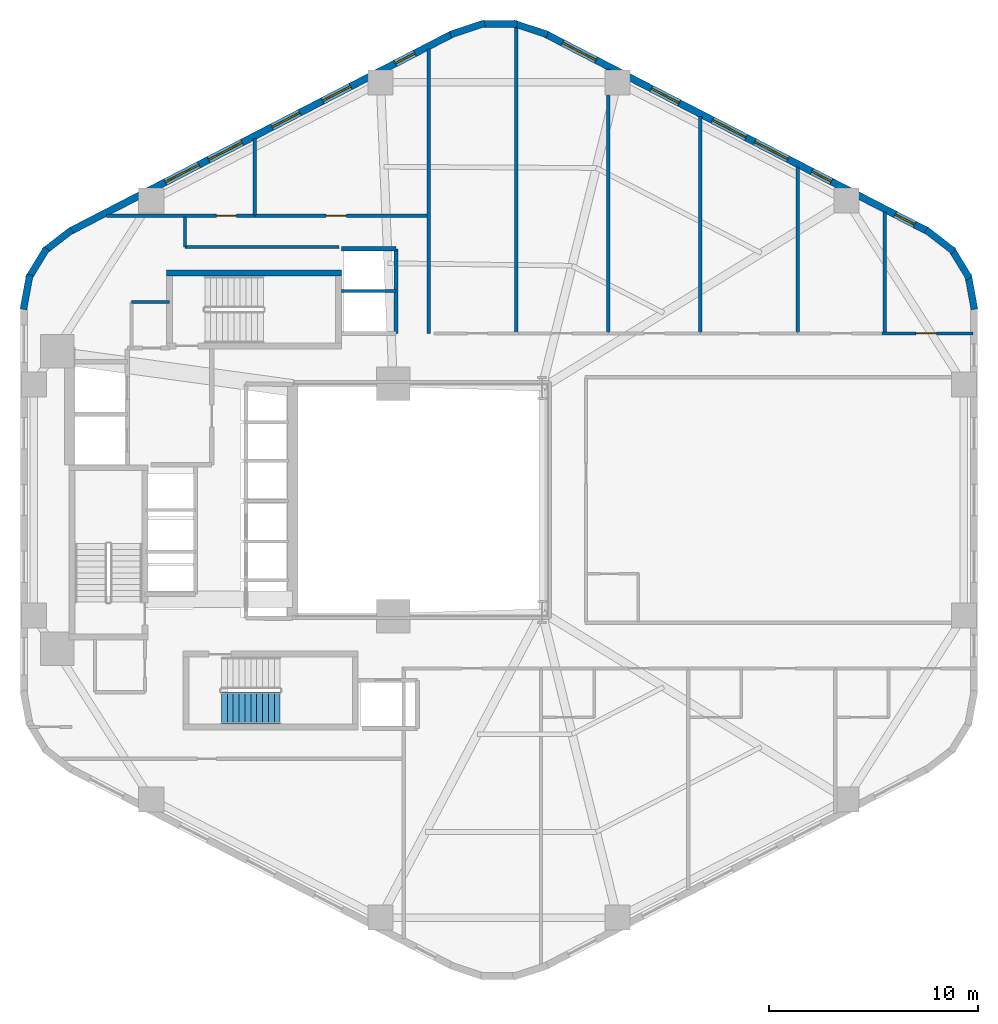
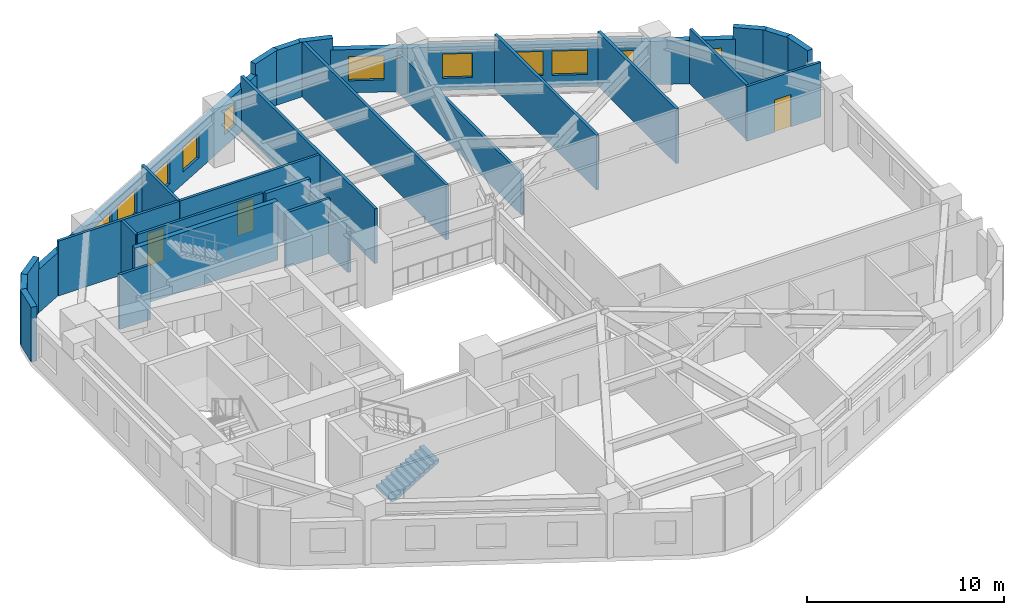
# One storey, part 5 of 7: 28 walls, 11 windows, 3 doors, 1 stair flight, 14 openings, 1 element without a shape of its own.
"""IFC4 building model written with IfcOpenShell, lengths in metres."""

import ifcopenshell
import ifcopenshell.guid

model = None  # the IFC model being written
_history = None  # IfcOwnerHistory: only IFC2X3 demands one
_inside = {}  # id of a spatial element -> (the spatial element, [elements in it])
_under = {}  # id of a project, library or spatial element -> (it, [spatial elements below it])
_declared = {}  # id of a project -> (the project, [libraries it declares])
_typed = {}  # id of a type object -> (the type object, [elements of that type])
_made_of = {}  # id of a material, layer set ... -> (it, [elements and type objects made of it])


def new_model(schema):
    """Start an empty IFC model of exactly this schema.

    Asked for "IFC4X3", IfcOpenShell would pick the latest addendum, in which some entities
    have other attributes; the version numbers below select the first issue.
    IFC2X3 requires an IfcOwnerHistory on every rooted entity: one is made here for all.
    """
    global model, _history
    if schema == "IFC4X3":
        model = ifcopenshell.file(schema_version=(4, 3, 0, 0))
    else:
        model = ifcopenshell.file(schema=schema)
    _inside.clear()
    _under.clear()
    _declared.clear()
    _typed.clear()
    _made_of.clear()
    _history = None
    if model.schema == "IFC2X3":
        org = make("IfcOrganization", Name="unknown")
        user = make(
            "IfcPersonAndOrganization",
            ThePerson=make("IfcPerson", FamilyName="unknown"),
            TheOrganization=org,
        )
        app = make(
            "IfcApplication",
            ApplicationDeveloper=org,
            Version="unknown",
            ApplicationFullName="unknown",
            ApplicationIdentifier="unknown",
        )
        _history = make(
            "IfcOwnerHistory",
            OwningUser=user,
            OwningApplication=app,
            ChangeAction="ADDED",
            CreationDate=0,
        )
    return model


def make(cls, **values):
    """One entity of the class cls with the attributes given. An attribute that is None is left unset."""
    return model.create_entity(
        cls, **{name: value for name, value in values.items() if value is not None}
    )


def rooted(cls, **values):
    """An entity with a GlobalId (a new one), such as an element, a storey or a relation."""
    return make(cls, GlobalId=ifcopenshell.guid.new(), OwnerHistory=_history, **values)


def si_unit(unit_type, name, prefix=None):
    """IfcSIUnit, for example si_unit("LENGTHUNIT", "METRE", prefix="MILLI")."""
    return make("IfcSIUnit", UnitType=unit_type, Prefix=prefix, Name=name)


def assignment(units):
    """IfcUnitAssignment: the units of a project."""
    return None if units is None else make("IfcUnitAssignment", Units=units)


def point(xyz):
    """IfcCartesianPoint."""
    return None if xyz is None else make("IfcCartesianPoint", Coordinates=xyz)


def direction(xyz):
    """IfcDirection."""
    return None if xyz is None else make("IfcDirection", DirectionRatios=xyz)


def frame(location, z_axis=None, x_axis=None):
    """IfcAxis2Placement3D, a coordinate frame: its origin and axes. An axis left out is left unset."""
    return make(
        "IfcAxis2Placement3D",
        Location=point(location),
        Axis=direction(z_axis),
        RefDirection=direction(x_axis),
    )


def frame_2d(location, x_axis=None):
    """IfcAxis2Placement2D, a coordinate frame in the plane: its origin and x axis."""
    return make(
        "IfcAxis2Placement2D", Location=point(location), RefDirection=direction(x_axis)
    )


def origin():
    """The frame at (0, 0, 0) with its axes left unset."""
    return frame((0.0, 0.0, 0.0))


def place(relative_to, where):
    """IfcLocalPlacement: puts the frame where relative to a parent placement (None: the world)."""
    return make(
        "IfcLocalPlacement", PlacementRelTo=relative_to, RelativePlacement=where
    )


def context(
    kind, dimensions, precision=None, world=None, true_north=None, identifier=None
):
    """IfcGeometricRepresentationContext, for example the 3D "Model" context."""
    return make(
        "IfcGeometricRepresentationContext",
        ContextIdentifier=identifier,
        ContextType=kind,
        CoordinateSpaceDimension=dimensions,
        Precision=precision,
        WorldCoordinateSystem=world,
        TrueNorth=true_north,
    )


def subcontext(parent, identifier, kind, view, scale=None):
    """IfcGeometricRepresentationSubContext, for example "Body" below "Model"."""
    return make(
        "IfcGeometricRepresentationSubContext",
        ContextIdentifier=identifier,
        ContextType=kind,
        ParentContext=parent,
        TargetScale=scale,
        TargetView=view,
    )


def project(units=None, contexts=None):
    """IfcProject with its units and contexts."""
    return rooted(
        "IfcProject",
        Name="project",
        RepresentationContexts=contexts,
        UnitsInContext=assignment(units),
    )


def spatial(cls, under=None, at=None, **own):
    """A site, building, storey or space (cls), placed at a placement, below another one or the project."""
    s = rooted(cls, ObjectPlacement=at, **own)
    if under is not None:
        _under.setdefault(under.id(), (under, []))[1].append(s)
    return s


def polyline(points):
    """IfcPolyline through the points."""
    return make("IfcPolyline", Points=[point(p) for p in points])


def profile(cls, at=None, kind="AREA", **sizes):
    """A parametric profile (cls). Its sizes go by their IFC names, for example OverallWidth=200.0."""
    return make(cls, ProfileType=kind, Position=at, **sizes)


def rectangle(**sizes):
    """IfcRectangleProfileDef."""
    return profile("IfcRectangleProfileDef", **sizes)


def outline(outer, holes=None, kind="AREA"):
    """IfcArbitraryClosedProfileDef: a profile drawn as a closed curve; with holes, ...WithVoids."""
    if holes is None:
        return make("IfcArbitraryClosedProfileDef", ProfileType=kind, OuterCurve=outer)
    return make(
        "IfcArbitraryProfileDefWithVoids",
        ProfileType=kind,
        OuterCurve=outer,
        InnerCurves=holes,
    )


def extrude(swept, where, along, depth):
    """IfcExtrudedAreaSolid: the profile swept, set in the frame where, extruded along a direction by depth."""
    return make(
        "IfcExtrudedAreaSolid",
        SweptArea=swept,
        Position=where,
        ExtrudedDirection=direction(along),
        Depth=depth,
    )


def shape(context_of_items, identifier, shape_type, items):
    """IfcShapeRepresentation: the items that make up one representation, for example the "Body"."""
    return make(
        "IfcShapeRepresentation",
        ContextOfItems=context_of_items,
        RepresentationIdentifier=identifier,
        RepresentationType=shape_type,
        Items=items,
    )


def material(Name=None, Category=None):
    """IfcMaterial."""
    return make("IfcMaterial", Name=Name, Category=Category)


def layer(
    of_material, thickness, ventilated=None, Name=None, Category=None, Priority=None
):
    """IfcMaterialLayer: one layer of a wall or slab, of a material (None: an air gap)."""
    return make(
        "IfcMaterialLayer",
        Material=of_material,
        LayerThickness=thickness,
        IsVentilated=ventilated,
        Name=Name,
        Category=Category,
        Priority=Priority,
    )


def layer_set(layers, Name=None):
    """IfcMaterialLayerSet."""
    return make("IfcMaterialLayerSet", MaterialLayers=layers, LayerSetName=Name)


def made_of(thing, what):
    """Note that an element or type object is made of a material, layer set ...; save() writes the relation."""
    if what is not None:
        _made_of.setdefault(what.id(), (what, []))[1].append(thing)
    return thing


def type_object(cls, material=None, **own):
    """A type object (cls), such as IfcWallType, which elements share."""
    return made_of(rooted(cls, **own), material)


def element(
    cls,
    number,
    at=None,
    inside=None,
    cuts=None,
    type_object=None,
    material=None,
    context=None,
    identifier="Body",
    shape_type=None,
    held_by="IfcProductDefinitionShape",
    body=None,
    shapes=None,
    **own,
):
    """One element of the class cls, such as IfcWall. Its Tag is "e" and its number.

    at: its placement. inside: the storey or other place that contains it. cuts: it is an
    opening in that element (IfcRelVoidsElement). A single representation is given by context,
    identifier, shape_type and body (its items); several are given by shapes. held_by: the class
    of the entity that holds the representations. save() writes the other relations.
    """
    e = rooted(cls, Tag="e%d" % number, ObjectPlacement=at, **own)
    if body is not None:
        shapes = [shape(context, identifier, shape_type, body)]
    if shapes is not None:
        e.Representation = make(held_by, Representations=shapes)
    if inside is not None:
        _inside.setdefault(inside.id(), (inside, []))[1].append(e)
    if cuts is not None:
        rooted(
            "IfcRelVoidsElement", RelatingBuildingElement=cuts, RelatedOpeningElement=e
        )
    if type_object is not None:
        _typed.setdefault(type_object.id(), (type_object, []))[1].append(e)
    return made_of(e, material)


def fill(opening, filler):
    """IfcRelFillsElement: the door or window that sits in an opening."""
    return rooted(
        "IfcRelFillsElement",
        RelatingOpeningElement=opening,
        RelatedBuildingElement=filler,
    )


def aggregate(whole, parts):
    """IfcRelAggregates: a whole, such as a stair, and the parts it consists of."""
    return rooted("IfcRelAggregates", RelatingObject=whole, RelatedObjects=parts)


def save(model, path):
    """Write the relations noted so far, then the file.

    IfcRelAggregates (storeys below a building ...), IfcRelContainedInSpatialStructure (elements
    in a storey), IfcRelDefinesByType, IfcRelAssociatesMaterial and IfcRelDeclares: one each for
    every whole, place, type object, material and project.
    """
    for whole, parts in _under.values():
        aggregate(whole, parts)
    for where, things in _inside.values():
        rooted(
            "IfcRelContainedInSpatialStructure",
            RelatedElements=things,
            RelatingStructure=where,
        )
    for kind, things in _typed.values():
        rooted("IfcRelDefinesByType", RelatedObjects=things, RelatingType=kind)
    for what, things in _made_of.values():
        rooted("IfcRelAssociatesMaterial", RelatedObjects=things, RelatingMaterial=what)
    for by, libraries in _declared.values():
        rooted("IfcRelDeclares", RelatingContext=by, RelatedDefinitions=libraries)
    model.write(path)


model = new_model("IFC4")

# Units and contexts
model_context = context("Model", 3, precision=1e-05, world=origin(), true_north=direction((0.0, 1.0)))
body_context = subcontext(model_context, "Body", "Model", "MODEL_VIEW")
ifc_project = project(units=[si_unit("LENGTHUNIT", "METRE"), si_unit("AREAUNIT", "SQUARE_METRE"), si_unit("VOLUMEUNIT", "CUBIC_METRE"), si_unit("PLANEANGLEUNIT", "RADIAN"), si_unit("MASSUNIT", "GRAM", prefix="KILO"), si_unit("THERMODYNAMICTEMPERATUREUNIT", "KELVIN"), si_unit("POWERUNIT", "WATT")], contexts=[model_context])

# Site, building, storey
site_placement = place(None, origin())
site = spatial("IfcSite", under=ifc_project, at=site_placement, CompositionType="ELEMENT")
building_placement = place(site_placement, origin())
building = spatial("IfcBuilding", under=site, at=building_placement, Name="Skarre Station Tower", CompositionType="ELEMENT")
storey_placement = place(building_placement, frame((0.0, 0.0, 89.050048828125)))
storey = spatial("IfcBuildingStorey", under=building, at=storey_placement, Name="L23", CompositionType="ELEMENT", Elevation=89.050048828125)

# Wall
ifc_material_1 = material(Name="Acoustic Steel-Stud Gypsum Partition", Category="steel")
ifc_layer_1 = layer(ifc_material_1, 0.14990234375, Name="Acoustic Steel-Stud Gypsum Partition")
ifc_layer_set_1 = layer_set([ifc_layer_1], Name="Acoustic Steel-Stud Gypsum Partition")
wall_type_1 = type_object("IfcWallType", Name="Fire-Rated Corridor Acoustic Partition 150", PredefinedType="PARTITIONING", material=ifc_layer_set_1)
wall_1_placement = place(storey_placement, frame((21.659912109375, 33.449951171875, 0.0), z_axis=(0.0, 0.0, 1.0), x_axis=(-1.0, 0.0, 0.0)))
element("IfcWall", 1, at=wall_1_placement, inside=storey, type_object=wall_type_1, Name="L23 Interior Partition WL-PT-L23-CNW-N1", PredefinedType="PARTITIONING", context=body_context, shape_type="SweptSolid", body=[
    extrude(rectangle(XDim=1.809814453125, YDim=0.14990234375, at=frame_2d((0.90478515625, 0.0))), origin(), (0.0, 0.0, 1.0), 3.389892578125),
])

# Wall, opening, door
wall_2_placement = place(storey_placement, frame((25.741943359375, 37.580078125, 0.0), z_axis=(0.0, 0.0, 1.0), x_axis=(-1.0, 0.0, 0.0)))
wall_2 = element("IfcWall", 2, at=wall_2_placement, inside=storey, type_object=wall_type_1, Name="L23 Interior Partition WL-PT-L23-NWW1-CW", PredefinedType="PARTITIONING", context=body_context, shape_type="SweptSolid", body=[
    extrude(rectangle(XDim=7.092041015625, YDim=0.14990234375, at=frame_2d((3.5458984375, 0.0))), origin(), (0.0, 0.0, 1.0), 3.389892578125),
])
opening_1_placement = place(wall_2_placement, frame((0.883056640625, 0.0, 0.0)))
opening_1 = element("IfcOpeningElement", 3, at=opening_1_placement, cuts=wall_2, Name="Opening DR-FD60", PredefinedType="OPENING", context=body_context, shape_type="SweptSolid", body=[
    extrude(rectangle(XDim=0.9599609375, YDim=2.0, at=frame_2d((0.47998046875, 1.0))), frame((0.0, 0.0849609375, 0.0), z_axis=(0.0, -1.0, 0.0), x_axis=(1.0, 0.0, 0.0)), (0.0, 0.0, 1.0), 0.169921875),
])
ifc_material_2 = material(Name="Nordic White-Oak Veneer Solid-Core Fire Leaf", Category="wood")
door_type = type_object("IfcDoorType", Name="Corridor Suite Entry Fire Door FD60 960x2150", OperationType="SINGLE_SWING_LEFT", PredefinedType="DOOR", material=ifc_material_2)
door_1_placement = place(opening_1_placement, origin())
door_1 = element("IfcDoor", 4, at=door_1_placement, inside=storey, type_object=door_type, Name="L23 NWW1 Entry Door", OperationType="SINGLE_SWING_LEFT", OverallHeight=2.0, OverallWidth=0.9599609375, PredefinedType="DOOR", context=body_context, shape_type="SweptSolid", body=[
    extrude(rectangle(XDim=0.9599609375, YDim=2.0, at=frame_2d((0.47998046875, 1.0))), frame((0.0, 0.02490234375, 0.0), z_axis=(0.0, -1.0, 0.0), x_axis=(1.0, 0.0, 0.0)), (0.0, 0.0, 1.0), 0.050048828125),
])
fill(opening_1, door_1)

wall_3_placement = place(storey_placement, frame((33.9619140625, 37.580078125, 0.0), z_axis=(0.0, 0.0, 1.0), x_axis=(-1.0, 0.0, 0.0)))
wall_3 = element("IfcWall", 5, at=wall_3_placement, inside=storey, type_object=wall_type_1, Name="L23 Interior Partition WL-PT-L23-NWW2-CW", PredefinedType="PARTITIONING", context=body_context, shape_type="SweptSolid", body=[
    extrude(rectangle(XDim=8.2099609375, YDim=0.14990234375, at=frame_2d((4.10498046875, 0.0))), origin(), (0.0, 0.0, 1.0), 3.389892578125),
])
opening_2_placement = place(wall_3_placement, frame((3.85009765625, 0.0, 0.0)))
opening_2 = element("IfcOpeningElement", 6, at=opening_2_placement, cuts=wall_3, Name="Opening DR-FD60", PredefinedType="OPENING", context=body_context, shape_type="SweptSolid", body=[
    extrude(rectangle(XDim=0.9599609375, YDim=2.0, at=frame_2d((0.47998046875, 1.0))), frame((0.0, 0.0849609375, 0.0), z_axis=(0.0, -1.0, 0.0), x_axis=(1.0, 0.0, 0.0)), (0.0, 0.0, 1.0), 0.169921875),
])
door_2_placement = place(opening_2_placement, origin())
door_2 = element("IfcDoor", 7, at=door_2_placement, inside=storey, type_object=door_type, Name="L23 NWW2 Entry Door", OperationType="SINGLE_SWING_LEFT", OverallHeight=2.0, OverallWidth=0.9599609375, PredefinedType="DOOR", context=body_context, shape_type="SweptSolid", body=[
    extrude(rectangle(XDim=0.9599609375, YDim=2.0, at=frame_2d((0.47998046875, 1.0))), frame((0.0, 0.02490234375, 0.0), z_axis=(0.0, -1.0, 0.0), x_axis=(1.0, 0.0, 0.0)), (0.0, 0.0, 1.0), 0.050048828125),
])
fill(opening_2, door_2)

wall_4_placement = place(storey_placement, frame((60.031982421875, 31.9599609375, 0.0), z_axis=(0.0, 0.0, 1.0), x_axis=(-1.0, 0.0, 0.0)))
wall_4 = element("IfcWall", 8, at=wall_4_placement, inside=storey, type_object=wall_type_1, Name="L23 Interior Partition WL-PT-L23-NW6-CW", PredefinedType="PARTITIONING", context=body_context, shape_type="SweptSolid", body=[
    extrude(rectangle(XDim=4.330078125, YDim=0.14990234375, at=frame_2d((2.1650390625, 0.0))), origin(), (0.0, 0.0, 1.0), 3.389892578125),
])
opening_3_placement = place(wall_4_placement, frame((1.741943359375, 0.0, 0.0)))
opening_3 = element("IfcOpeningElement", 9, at=opening_3_placement, cuts=wall_4, Name="Opening DR-FD60", PredefinedType="OPENING", context=body_context, shape_type="SweptSolid", body=[
    extrude(rectangle(XDim=0.9599609375, YDim=2.0, at=frame_2d((0.47998046875, 1.0))), frame((0.0, 0.0849609375, 0.0), z_axis=(0.0, -1.0, 0.0), x_axis=(1.0, 0.0, 0.0)), (0.0, 0.0, 1.0), 0.169921875),
])
door_3_placement = place(opening_3_placement, origin())
door_3 = element("IfcDoor", 10, at=door_3_placement, inside=storey, type_object=door_type, Name="L23 NW6 Entry Door", OperationType="SINGLE_SWING_LEFT", OverallHeight=2.0, OverallWidth=0.9599609375, PredefinedType="DOOR", context=body_context, shape_type="SweptSolid", body=[
    extrude(rectangle(XDim=0.9599609375, YDim=2.0, at=frame_2d((0.47998046875, 1.0))), frame((0.0, 0.02490234375, 0.0), z_axis=(0.0, -1.0, 0.0), x_axis=(1.0, 0.0, 0.0)), (0.0, 0.0, 1.0), 0.050048828125),
])
fill(opening_3, door_3)

# Walls
wall_5_placement = place(storey_placement, frame((29.7529296875, 36.080078125, 0.0), z_axis=(0.0, 0.0, 1.0), x_axis=(-1.0, 0.0, 0.0)))
element("IfcWall", 11, at=wall_5_placement, inside=storey, type_object=wall_type_1, Name="L23 Interior Partition WL-PT-L23-CSEAL-1", PredefinedType="PARTITIONING", context=body_context, shape_type="SweptSolid", body=[
    extrude(rectangle(XDim=7.35302734375, YDim=0.14990234375, at=frame_2d((3.676513671875, 0.0))), origin(), (0.0, 0.0, 1.0), 3.389892578125),
])
wall_6_placement = place(storey_placement, frame((22.39990234375, 36.080078125, 0.0), z_axis=(0.0, 0.0, 1.0), x_axis=(0.0, 1.0, 0.0)))
element("IfcWall", 12, at=wall_6_placement, inside=storey, type_object=wall_type_1, Name="L23 Interior Partition WL-PT-L23-CSEAL-2", PredefinedType="PARTITIONING", context=body_context, shape_type="SweptSolid", body=[
    extrude(rectangle(XDim=1.429931640625, YDim=0.14990234375, at=frame_2d((0.71484375, 0.0))), origin(), (0.0, 0.0, 1.0), 3.389892578125),
])

# Wall, openings, windows
ifc_material_3 = material(Name="Precast concrete C45/55", Category="concrete")
ifc_layer_2 = layer(ifc_material_3, 0.340087890625, Name="Precast concrete C45/55")
ifc_layer_set_2 = layer_set([ifc_layer_2], Name="Precast concrete C45/55")
wall_type_2 = type_object("IfcWallType", Name="Nordic Honed Precast Facet Wall 340", PredefinedType="STANDARD", material=ifc_layer_set_2)
wall_7_placement = place(storey_placement, frame((39.631103515625, 46.257080078125, 0.0), z_axis=(0.0, 0.0, 1.0), x_axis=(0.888634413993, -0.458616264721, 0.0)))
wall_7 = element("IfcWall", 13, at=wall_7_placement, inside=storey, type_object=wall_type_2, Name="L23 Facet 0 Nordic Precast Masonry Wall", PredefinedType="STANDARD", context=body_context, shape_type="SweptSolid", body=[
    extrude(rectangle(XDim=20.53125, YDim=0.340087890625, at=frame_2d((10.265625, 0.0))), origin(), (0.0, 0.0, 1.0), 2.683837890625),
])
opening_4_placement = place(wall_7_placement, frame((0.906982421875, 0.0, 0.75)))
opening_4 = element("IfcOpeningElement", 14, at=opening_4_placement, cuts=wall_7, Name="Opening WN-Z1A", PredefinedType="OPENING", context=body_context, shape_type="SweptSolid", body=[
    extrude(rectangle(XDim=1.800048828125, YDim=1.5, at=frame_2d((0.89990234375, 0.75))), frame((0.0, 0.179931640625, 0.0), z_axis=(0.0, -1.0, 0.0), x_axis=(1.0, 0.0, 0.0)), (0.0, 0.0, 1.0), 0.360107421875),
])
opening_5_placement = place(wall_7_placement, frame((5.681884765625, 0.0, 0.75)))
opening_5 = element("IfcOpeningElement", 15, at=opening_5_placement, cuts=wall_7, Name="Opening WN-Z1B", PredefinedType="OPENING", context=body_context, shape_type="SweptSolid", body=[
    extrude(rectangle(XDim=1.5, YDim=1.5, at=frame_2d((0.75, 0.75))), frame((0.0, 0.179931640625, 0.0), z_axis=(0.0, -1.0, 0.0), x_axis=(1.0, 0.0, 0.0)), (0.0, 0.0, 1.0), 0.360107421875),
])
opening_6_placement = place(wall_7_placement, frame((8.970947265625, 0.0, 0.75)))
opening_6 = element("IfcOpeningElement", 16, at=opening_6_placement, cuts=wall_7, Name="Opening WN-Z1A", PredefinedType="OPENING", context=body_context, shape_type="SweptSolid", body=[
    extrude(rectangle(XDim=1.800048828125, YDim=1.5, at=frame_2d((0.89990234375, 0.75))), frame((0.0, 0.179931640625, 0.0), z_axis=(0.0, -1.0, 0.0), x_axis=(1.0, 0.0, 0.0)), (0.0, 0.0, 1.0), 0.360107421875),
])
opening_7_placement = place(wall_7_placement, frame((11.22900390625, 0.0, 0.75)))
opening_7 = element("IfcOpeningElement", 17, at=opening_7_placement, cuts=wall_7, Name="Opening WN-Z1A", PredefinedType="OPENING", context=body_context, shape_type="SweptSolid", body=[
    extrude(rectangle(XDim=1.800048828125, YDim=1.5, at=frame_2d((0.89990234375, 0.75))), frame((0.0, 0.179931640625, 0.0), z_axis=(0.0, -1.0, 0.0), x_axis=(1.0, 0.0, 0.0)), (0.0, 0.0, 1.0), 0.360107421875),
])
opening_8_placement = place(wall_7_placement, frame((14.30908203125, 0.0, 0.75)))
opening_8 = element("IfcOpeningElement", 18, at=opening_8_placement, cuts=wall_7, Name="Opening WN-SLT", PredefinedType="OPENING", context=body_context, shape_type="SweptSolid", body=[
    extrude(rectangle(XDim=1.050048828125, YDim=1.39990234375, at=frame_2d((0.52490234375, 0.699951171875))), frame((0.0, 0.179931640625, 0.0), z_axis=(0.0, -1.0, 0.0), x_axis=(1.0, 0.0, 0.0)), (0.0, 0.0, 1.0), 0.360107421875),
])
opening_9_placement = place(wall_7_placement, frame((18.7880859375, 0.0, 0.75)))
opening_9 = element("IfcOpeningElement", 19, at=opening_9_placement, cuts=wall_7, Name="Opening WN-SLT", PredefinedType="OPENING", context=body_context, shape_type="SweptSolid", body=[
    extrude(rectangle(XDim=1.050048828125, YDim=1.39990234375, at=frame_2d((0.52490234375, 0.699951171875))), frame((0.0, 0.179931640625, 0.0), z_axis=(0.0, -1.0, 0.0), x_axis=(1.0, 0.0, 0.0)), (0.0, 0.0, 1.0), 0.360107421875),
])
ifc_material_4 = material(Name="Low-Iron Triple Glazing with Bronze Anodized Frame", Category="glass")
window_type_1 = type_object("IfcWindowType", Name="Nordic Corner Slot Window 1050x1400", PartitioningType="SINGLE_PANEL", PredefinedType="WINDOW", material=ifc_material_4)
window_1_placement = place(opening_8_placement, origin())
window_1 = element("IfcWindow", 20, at=window_1_placement, inside=storey, type_object=window_type_1, Name="L23 Facade Window WL-FAC-L23-F0-5", OverallHeight=1.39990234375, OverallWidth=1.050048828125, PartitioningType="SINGLE_PANEL", PredefinedType="WINDOW", context=body_context, shape_type="SweptSolid", body=[
    extrude(rectangle(XDim=1.050048828125, YDim=1.39990234375, at=frame_2d((0.52490234375, 0.699951171875))), frame((0.0, 0.030029296875, 0.0), z_axis=(0.0, -1.0, 0.0), x_axis=(1.0, 0.0, 0.0)), (0.0, 0.0, 1.0), 0.06005859375),
])
fill(opening_8, window_1)
window_2_placement = place(opening_9_placement, origin())
window_2 = element("IfcWindow", 21, at=window_2_placement, inside=storey, type_object=window_type_1, Name="L23 Facade Window WL-FAC-L23-F0-6", OverallHeight=1.39990234375, OverallWidth=1.050048828125, PartitioningType="SINGLE_PANEL", PredefinedType="WINDOW", context=body_context, shape_type="SweptSolid", body=[
    extrude(rectangle(XDim=1.050048828125, YDim=1.39990234375, at=frame_2d((0.52490234375, 0.699951171875))), frame((0.0, 0.030029296875, 0.0), z_axis=(0.0, -1.0, 0.0), x_axis=(1.0, 0.0, 0.0)), (0.0, 0.0, 1.0), 0.06005859375),
])
fill(opening_9, window_2)
window_type_2 = type_object("IfcWindowType", Name="Nordic Punched Triple-Glazed Window 1500x1500", PartitioningType="SINGLE_PANEL", PredefinedType="WINDOW", material=ifc_material_4)
window_3_placement = place(opening_5_placement, origin())
window_3 = element("IfcWindow", 22, at=window_3_placement, inside=storey, type_object=window_type_2, Name="L23 Facade Window WL-FAC-L23-F0-2", OverallHeight=1.5, OverallWidth=1.5, PartitioningType="SINGLE_PANEL", PredefinedType="WINDOW", context=body_context, shape_type="SweptSolid", body=[
    extrude(rectangle(XDim=1.5, YDim=1.5, at=frame_2d((0.75, 0.75))), frame((0.0, 0.030029296875, 0.0), z_axis=(0.0, -1.0, 0.0), x_axis=(1.0, 0.0, 0.0)), (0.0, 0.0, 1.0), 0.06005859375),
])
fill(opening_5, window_3)
window_type_3 = type_object("IfcWindowType", Name="Nordic Punched Triple-Glazed Window 1800x1500", PartitioningType="SINGLE_PANEL", PredefinedType="WINDOW", material=ifc_material_4)
window_4_placement = place(opening_4_placement, origin())
window_4 = element("IfcWindow", 23, at=window_4_placement, inside=storey, type_object=window_type_3, Name="L23 Facade Window WL-FAC-L23-F0-1", OverallHeight=1.5, OverallWidth=1.800048828125, PartitioningType="SINGLE_PANEL", PredefinedType="WINDOW", context=body_context, shape_type="SweptSolid", body=[
    extrude(rectangle(XDim=1.800048828125, YDim=1.5, at=frame_2d((0.89990234375, 0.75))), frame((0.0, 0.030029296875, 0.0), z_axis=(0.0, -1.0, 0.0), x_axis=(1.0, 0.0, 0.0)), (0.0, 0.0, 1.0), 0.06005859375),
])
fill(opening_4, window_4)
window_5_placement = place(opening_6_placement, origin())
window_5 = element("IfcWindow", 24, at=window_5_placement, inside=storey, type_object=window_type_3, Name="L23 Facade Window WL-FAC-L23-F0-3", OverallHeight=1.5, OverallWidth=1.800048828125, PartitioningType="SINGLE_PANEL", PredefinedType="WINDOW", context=body_context, shape_type="SweptSolid", body=[
    extrude(rectangle(XDim=1.800048828125, YDim=1.5, at=frame_2d((0.89990234375, 0.75))), frame((0.0, 0.030029296875, 0.0), z_axis=(0.0, -1.0, 0.0), x_axis=(1.0, 0.0, 0.0)), (0.0, 0.0, 1.0), 0.06005859375),
])
fill(opening_6, window_5)
window_6_placement = place(opening_7_placement, origin())
window_6 = element("IfcWindow", 25, at=window_6_placement, inside=storey, type_object=window_type_3, Name="L23 Facade Window WL-FAC-L23-F0-4", OverallHeight=1.5, OverallWidth=1.800048828125, PartitioningType="SINGLE_PANEL", PredefinedType="WINDOW", context=body_context, shape_type="SweptSolid", body=[
    extrude(rectangle(XDim=1.800048828125, YDim=1.5, at=frame_2d((0.89990234375, 0.75))), frame((0.0, 0.030029296875, 0.0), z_axis=(0.0, -1.0, 0.0), x_axis=(1.0, 0.0, 0.0)), (0.0, 0.0, 1.0), 0.06005859375),
])
fill(opening_7, window_6)

wall_8_placement = place(storey_placement, frame((16.924072265625, 36.841064453125, 0.0), z_axis=(0.0, 0.0, 1.0), x_axis=(0.888634413993, 0.458616264721, 0.0)))
wall_8 = element("IfcWall", 26, at=wall_8_placement, inside=storey, type_object=wall_type_2, Name="L23 Facet 1 Nordic Precast Masonry Wall", PredefinedType="STANDARD", context=body_context, shape_type="SweptSolid", body=[
    extrude(rectangle(XDim=20.53125, YDim=0.340087890625, at=frame_2d((10.265625, 0.0))), origin(), (0.0, 0.0, 1.0), 2.683837890625),
])
opening_10_placement = place(wall_8_placement, frame((5.111083984375, 0.0, 0.75)))
opening_10 = element("IfcOpeningElement", 27, at=opening_10_placement, cuts=wall_8, Name="Opening WN-Z1A", PredefinedType="OPENING", context=body_context, shape_type="SweptSolid", body=[
    extrude(rectangle(XDim=1.800048828125, YDim=1.5, at=frame_2d((0.89990234375, 0.75))), frame((0.0, 0.179931640625, 0.0), z_axis=(0.0, -1.0, 0.0), x_axis=(1.0, 0.0, 0.0)), (0.0, 0.0, 1.0), 0.360107421875),
])
opening_11_placement = place(wall_8_placement, frame((7.43994140625, 0.0, 0.75)))
opening_11 = element("IfcOpeningElement", 28, at=opening_11_placement, cuts=wall_8, Name="Opening WN-Z1A", PredefinedType="OPENING", context=body_context, shape_type="SweptSolid", body=[
    extrude(rectangle(XDim=1.800048828125, YDim=1.5, at=frame_2d((0.89990234375, 0.75))), frame((0.0, 0.179931640625, 0.0), z_axis=(0.0, -1.0, 0.0), x_axis=(1.0, 0.0, 0.0)), (0.0, 0.0, 1.0), 0.360107421875),
])
opening_12_placement = place(wall_8_placement, frame((10.843017578125, 0.0, 0.75)))
opening_12 = element("IfcOpeningElement", 29, at=opening_12_placement, cuts=wall_8, Name="Opening WN-Z1B", PredefinedType="OPENING", context=body_context, shape_type="SweptSolid", body=[
    extrude(rectangle(XDim=1.5, YDim=1.5, at=frame_2d((0.75, 0.75))), frame((0.0, 0.179931640625, 0.0), z_axis=(0.0, -1.0, 0.0), x_axis=(1.0, 0.0, 0.0)), (0.0, 0.0, 1.0), 0.360107421875),
])
opening_13_placement = place(wall_8_placement, frame((13.571044921875, 0.0, 0.75)))
opening_13 = element("IfcOpeningElement", 30, at=opening_13_placement, cuts=wall_8, Name="Opening WN-Z1B", PredefinedType="OPENING", context=body_context, shape_type="SweptSolid", body=[
    extrude(rectangle(XDim=1.5, YDim=1.5, at=frame_2d((0.75, 0.75))), frame((0.0, 0.179931640625, 0.0), z_axis=(0.0, -1.0, 0.0), x_axis=(1.0, 0.0, 0.0)), (0.0, 0.0, 1.0), 0.360107421875),
])
opening_14_placement = place(wall_8_placement, frame((17.47607421875, 0.0, 0.75)))
opening_14 = element("IfcOpeningElement", 31, at=opening_14_placement, cuts=wall_8, Name="Opening WN-SLT", PredefinedType="OPENING", context=body_context, shape_type="SweptSolid", body=[
    extrude(rectangle(XDim=1.050048828125, YDim=1.39990234375, at=frame_2d((0.52490234375, 0.699951171875))), frame((0.0, 0.179931640625, 0.0), z_axis=(0.0, -1.0, 0.0), x_axis=(1.0, 0.0, 0.0)), (0.0, 0.0, 1.0), 0.360107421875),
])
window_7_placement = place(opening_14_placement, origin())
window_7 = element("IfcWindow", 32, at=window_7_placement, inside=storey, type_object=window_type_1, Name="L23 Facade Window WL-FAC-L23-F1-5", OverallHeight=1.39990234375, OverallWidth=1.050048828125, PartitioningType="SINGLE_PANEL", PredefinedType="WINDOW", context=body_context, shape_type="SweptSolid", body=[
    extrude(rectangle(XDim=1.050048828125, YDim=1.39990234375, at=frame_2d((0.52490234375, 0.699951171875))), frame((0.0, 0.030029296875, 0.0), z_axis=(0.0, -1.0, 0.0), x_axis=(1.0, 0.0, 0.0)), (0.0, 0.0, 1.0), 0.06005859375),
])
fill(opening_14, window_7)
window_8_placement = place(opening_12_placement, origin())
window_8 = element("IfcWindow", 33, at=window_8_placement, inside=storey, type_object=window_type_2, Name="L23 Facade Window WL-FAC-L23-F1-3", OverallHeight=1.5, OverallWidth=1.5, PartitioningType="SINGLE_PANEL", PredefinedType="WINDOW", context=body_context, shape_type="SweptSolid", body=[
    extrude(rectangle(XDim=1.5, YDim=1.5, at=frame_2d((0.75, 0.75))), frame((0.0, 0.030029296875, 0.0), z_axis=(0.0, -1.0, 0.0), x_axis=(1.0, 0.0, 0.0)), (0.0, 0.0, 1.0), 0.06005859375),
])
fill(opening_12, window_8)
window_9_placement = place(opening_13_placement, origin())
window_9 = element("IfcWindow", 34, at=window_9_placement, inside=storey, type_object=window_type_2, Name="L23 Facade Window WL-FAC-L23-F1-4", OverallHeight=1.5, OverallWidth=1.5, PartitioningType="SINGLE_PANEL", PredefinedType="WINDOW", context=body_context, shape_type="SweptSolid", body=[
    extrude(rectangle(XDim=1.5, YDim=1.5, at=frame_2d((0.75, 0.75))), frame((0.0, 0.030029296875, 0.0), z_axis=(0.0, -1.0, 0.0), x_axis=(1.0, 0.0, 0.0)), (0.0, 0.0, 1.0), 0.06005859375),
])
fill(opening_13, window_9)
window_10_placement = place(opening_10_placement, origin())
window_10 = element("IfcWindow", 35, at=window_10_placement, inside=storey, type_object=window_type_3, Name="L23 Facade Window WL-FAC-L23-F1-1", OverallHeight=1.5, OverallWidth=1.800048828125, PartitioningType="SINGLE_PANEL", PredefinedType="WINDOW", context=body_context, shape_type="SweptSolid", body=[
    extrude(rectangle(XDim=1.800048828125, YDim=1.5, at=frame_2d((0.89990234375, 0.75))), frame((0.0, 0.030029296875, 0.0), z_axis=(0.0, -1.0, 0.0), x_axis=(1.0, 0.0, 0.0)), (0.0, 0.0, 1.0), 0.06005859375),
])
fill(opening_10, window_10)
window_11_placement = place(opening_11_placement, origin())
window_11 = element("IfcWindow", 36, at=window_11_placement, inside=storey, type_object=window_type_3, Name="L23 Facade Window WL-FAC-L23-F1-2", OverallHeight=1.5, OverallWidth=1.800048828125, PartitioningType="SINGLE_PANEL", PredefinedType="WINDOW", context=body_context, shape_type="SweptSolid", body=[
    extrude(rectangle(XDim=1.800048828125, YDim=1.5, at=frame_2d((0.89990234375, 0.75))), frame((0.0, 0.030029296875, 0.0), z_axis=(0.0, -1.0, 0.0), x_axis=(1.0, 0.0, 0.0)), (0.0, 0.0, 1.0), 0.06005859375),
])
fill(opening_11, window_11)

# Walls
ifc_layer_3 = layer(ifc_material_3, 0.330078125, Name="Precast concrete C45/55")
ifc_layer_set_3 = layer_set([ifc_layer_3], Name="Precast concrete C45/55")
wall_type_3 = type_object("IfcWallType", Name="Nordic Rounded Corner Precast Wall 330", PredefinedType="STANDARD", material=ifc_layer_set_3)
wall_9_placement = place(storey_placement, frame((57.802001953125, 36.90087890625, 0.0), z_axis=(0.0, 0.0, 1.0), x_axis=(0.790691856293, -0.61221433207, 0.0)))
element("IfcWall", 37, at=wall_9_placement, inside=storey, type_object=wall_type_3, Name="L23 Rounded Corner Precast Wall F0-1", PredefinedType="STANDARD", context=body_context, shape_type="SweptSolid", body=[
    extrude(rectangle(XDim=1.67578125, YDim=0.330078125, at=frame_2d((0.837890625, 0.0))), origin(), (0.0, 0.0, 1.0), 3.389892578125),
])
wall_10_placement = place(storey_placement, frame((59.001953125, 36.014892578125, 0.0), z_axis=(0.0, 0.0, 1.0), x_axis=(0.520584129191, -0.853810379671, 0.0)))
element("IfcWall", 38, at=wall_10_placement, inside=storey, type_object=wall_type_3, Name="L23 Rounded Corner Precast Wall F0-2", PredefinedType="STANDARD", context=body_context, shape_type="SweptSolid", body=[
    extrude(rectangle(XDim=1.677001953125, YDim=0.330078125, at=frame_2d((0.83837890625, 0.0))), origin(), (0.0, 0.0, 1.0), 3.389892578125),
])
wall_11_placement = place(storey_placement, frame((59.80810546875, 34.758056640625, 0.0), z_axis=(0.0, 0.0, 1.0), x_axis=(0.181714143354, -0.983351397063, 0.0)))
element("IfcWall", 39, at=wall_11_placement, inside=storey, type_object=wall_type_3, Name="L23 Rounded Corner Precast Wall F0-3", PredefinedType="STANDARD", context=body_context, shape_type="SweptSolid", body=[
    extrude(rectangle(XDim=1.677978515625, YDim=0.330078125, at=frame_2d((0.8388671875, 0.0))), origin(), (0.0, 0.0, 1.0), 3.389892578125),
])
wall_12_placement = place(storey_placement, frame((35.0810546875, 46.23095703125, 0.0), z_axis=(0.0, 0.0, 1.0), x_axis=(0.94976901097, 0.312951794691, 0.0)))
element("IfcWall", 40, at=wall_12_placement, inside=storey, type_object=wall_type_3, Name="L23 Rounded Corner Precast Wall F1-1", PredefinedType="STANDARD", context=body_context, shape_type="SweptSolid", body=[
    extrude(rectangle(XDim=1.722412109375, YDim=0.330078125, at=frame_2d((0.861328125, 0.0))), origin(), (0.0, 0.0, 1.0), 3.389892578125),
])
wall_13_placement = place(storey_placement, frame((36.5390625, 46.740966796875, 0.0), z_axis=(0.0, 0.0, 1.0), x_axis=(1.0, 0.0, 0.0)))
element("IfcWall", 41, at=wall_13_placement, inside=storey, type_object=wall_type_3, Name="L23 Rounded Corner Precast Wall F1-2", PredefinedType="STANDARD", context=body_context, shape_type="SweptSolid", body=[
    extrude(rectangle(XDim=1.721923828125, YDim=0.330078125, at=frame_2d((0.86083984375, 0.0))), origin(), (0.0, 0.0, 1.0), 3.389892578125),
])
wall_14_placement = place(storey_placement, frame((38.0830078125, 46.77001953125, 0.0), z_axis=(0.0, 0.0, 1.0), x_axis=(0.94976901097, -0.312951794691, 0.0)))
element("IfcWall", 42, at=wall_14_placement, inside=storey, type_object=wall_type_3, Name="L23 Rounded Corner Precast Wall F1-3", PredefinedType="STANDARD", context=body_context, shape_type="SweptSolid", body=[
    extrude(rectangle(XDim=1.722412109375, YDim=0.330078125, at=frame_2d((0.861328125, 0.0))), origin(), (0.0, 0.0, 1.0), 3.389892578125),
])
wall_15_placement = place(storey_placement, frame((14.68701171875, 33.10791015625, 0.0), z_axis=(0.0, 0.0, 1.0), x_axis=(0.181714143354, 0.983351397063, 0.0)))
element("IfcWall", 43, at=wall_15_placement, inside=storey, type_object=wall_type_3, Name="L23 Rounded Corner Precast Wall F2-1", PredefinedType="STANDARD", context=body_context, shape_type="SweptSolid", body=[
    extrude(rectangle(XDim=1.677978515625, YDim=0.330078125, at=frame_2d((0.8388671875, 0.0))), origin(), (0.0, 0.0, 1.0), 3.389892578125),
])
wall_16_placement = place(storey_placement, frame((14.925048828125, 34.5830078125, 0.0), z_axis=(0.0, 0.0, 1.0), x_axis=(0.520584129191, 0.853810379671, 0.0)))
element("IfcWall", 44, at=wall_16_placement, inside=storey, type_object=wall_type_3, Name="L23 Rounded Corner Precast Wall F2-2", PredefinedType="STANDARD", context=body_context, shape_type="SweptSolid", body=[
    extrude(rectangle(XDim=1.677001953125, YDim=0.330078125, at=frame_2d((0.83837890625, 0.0))), origin(), (0.0, 0.0, 1.0), 3.389892578125),
])
wall_17_placement = place(storey_placement, frame((15.673095703125, 35.875, 0.0), z_axis=(0.0, 0.0, 1.0), x_axis=(0.790691856293, 0.61221433207, 0.0)))
element("IfcWall", 45, at=wall_17_placement, inside=storey, type_object=wall_type_3, Name="L23 Rounded Corner Precast Wall F2-3", PredefinedType="STANDARD", context=body_context, shape_type="SweptSolid", body=[
    extrude(rectangle(XDim=1.67578125, YDim=0.330078125, at=frame_2d((0.837890625, 0.0))), origin(), (0.0, 0.0, 1.0), 3.389892578125),
])
ifc_material_5 = material(Name="Concrete C50/60", Category="concrete")
ifc_layer_4 = layer(ifc_material_5, 0.280029296875, Name="Concrete C50/60")
ifc_layer_set_4 = layer_set([ifc_layer_4], Name="Concrete C50/60")
wall_type_4 = type_object("IfcWallType", Name="RC Core Shear Wall 280", PredefinedType="SHEAR", material=ifc_layer_set_4)
wall_18_placement = place(storey_placement, frame((29.8798828125, 34.840087890625, 0.0), z_axis=(0.0, 0.0, 1.0), x_axis=(-1.0, 0.0, 0.0)))
element("IfcWall", 46, at=wall_18_placement, inside=storey, type_object=wall_type_4, Name="L23 Stair ST-3 North Shear Wall", PredefinedType="SHEAR", context=body_context, shape_type="SweptSolid", body=[
    extrude(rectangle(XDim=8.35986328125, YDim=0.280029296875, at=frame_2d((4.179931640625, 0.0))), origin(), (0.0, 0.0, 1.0), 3.64990234375),
])
ifc_material_6 = material(Name="Gypsum Concrete Shaft Assembly C30/37", Category="concrete")
ifc_layer_5 = layer(ifc_material_6, 0.199951171875, Name="Gypsum Concrete Shaft Assembly C30/37")
ifc_layer_set_5 = layer_set([ifc_layer_5], Name="Gypsum Concrete Shaft Assembly C30/37")
wall_type_5 = type_object("IfcWallType", Name="Shaft & Core Fire Partition 200", PredefinedType="PARTITIONING", material=ifc_layer_set_5)
wall_19_placement = place(storey_placement, frame((32.47998046875, 31.949951171875, 0.0), z_axis=(0.0, 0.0, 1.0), x_axis=(0.0, 1.0, 0.0)))
element("IfcWall", 47, at=wall_19_placement, inside=storey, type_object=wall_type_5, Name="L23 Interior Partition WL-PT-L23-EX-E", PredefinedType="PARTITIONING", context=body_context, shape_type="SweptSolid", body=[
    extrude(rectangle(XDim=4.050048828125, YDim=0.199951171875, at=frame_2d((2.02490234375, 0.0))), origin(), (0.0, 0.0, 1.0), 2.512939453125),
])
wall_20_placement = place(storey_placement, frame((29.8798828125, 36.0, 0.0), z_axis=(0.0, 0.0, 1.0), x_axis=(1.0, 0.0, 0.0)))
element("IfcWall", 48, at=wall_20_placement, inside=storey, type_object=wall_type_5, Name="L23 Interior Partition WL-PT-L23-EX-N", PredefinedType="PARTITIONING", context=body_context, shape_type="SweptSolid", body=[
    extrude(rectangle(XDim=2.60009765625, YDim=0.199951171875, at=frame_2d((1.300048828125, 0.0))), origin(), (0.0, 0.0, 1.0), 3.389892578125),
])
wall_21_placement = place(storey_placement, frame((29.875, 33.97998046875, 0.0), z_axis=(0.0, 0.0, 1.0), x_axis=(1.0, 0.0, 0.0)))
element("IfcWall", 49, at=wall_21_placement, inside=storey, type_object=wall_type_5, Name="L23 Interior Partition WL-PT-L23-EX-DIV", PredefinedType="PARTITIONING", context=body_context, shape_type="SweptSolid", body=[
    extrude(rectangle(XDim=2.60498046875, YDim=0.159912109375, at=frame_2d((1.302490234375, 0.0))), origin(), (0.0, 0.0, 1.0), 3.389892578125),
])
ifc_layer_6 = layer(ifc_material_1, 0.1650390625, Name="Acoustic Steel-Stud Gypsum Partition")
ifc_layer_set_6 = layer_set([ifc_layer_6], Name="Acoustic Steel-Stud Gypsum Partition")
wall_type_6 = type_object("IfcWallType", Name="Suite Demising Acoustic Partition 165", PredefinedType="PARTITIONING", material=ifc_layer_set_6)
wall_22_placement = place(storey_placement, frame((25.7470703125, 37.610107421875, 0.0), z_axis=(0.0, 0.0, 1.0), x_axis=(0.0, 1.0, 0.0)))
element("IfcWall", 50, at=wall_22_placement, inside=storey, type_object=wall_type_6, Name="L23 Interior Partition WL-PT-L23-NWW-P1", PredefinedType="PARTITIONING", context=body_context, shape_type="SweptSolid", body=[
    extrude(rectangle(XDim=3.64892578125, YDim=0.1650390625, at=frame_2d((1.824462890625, 0.0))), origin(), (0.0, 0.0, 1.0), 3.389892578125),
])
wall_23_placement = place(storey_placement, frame((34.0400390625, 31.9599609375, 0.0), z_axis=(0.0, 0.0, 1.0), x_axis=(0.0, 1.0, 0.0)))
element("IfcWall", 51, at=wall_23_placement, inside=storey, type_object=wall_type_6, Name="L23 Interior Partition WL-PT-L23-NW-WBND", PredefinedType="PARTITIONING", context=body_context, shape_type="SweptSolid", body=[
    extrude(rectangle(XDim=13.5791015625, YDim=0.1650390625, at=frame_2d((6.78955078125, 0.0))), origin(), (0.0, 0.0, 1.0), 3.389892578125),
])
wall_24_placement = place(storey_placement, frame((38.220947265625, 31.969970703125, 0.0), z_axis=(0.0, 0.0, 1.0), x_axis=(0.0, 1.0, 0.0)))
element("IfcWall", 52, at=wall_24_placement, inside=storey, type_object=wall_type_6, Name="L23 Interior Partition WL-PT-L23-NW-P1", PredefinedType="PARTITIONING", context=body_context, shape_type="SweptSolid", body=[
    extrude(rectangle(XDim=14.6220703125, YDim=0.1650390625, at=frame_2d((7.31103515625, 0.0))), origin(), (0.0, 0.0, 1.0), 3.389892578125),
])
wall_25_placement = place(storey_placement, frame((42.62109375, 31.969970703125, 0.0), z_axis=(0.0, 0.0, 1.0), x_axis=(0.0, 1.0, 0.0)))
element("IfcWall", 53, at=wall_25_placement, inside=storey, type_object=wall_type_6, Name="L23 Interior Partition WL-PT-L23-NW-P2", PredefinedType="PARTITIONING", context=body_context, shape_type="SweptSolid", body=[
    extrude(rectangle(XDim=12.609130859375, YDim=0.1650390625, at=frame_2d((6.3046875, 0.0))), origin(), (0.0, 0.0, 1.0), 2.512939453125),
])
wall_26_placement = place(storey_placement, frame((47.02197265625, 31.969970703125, 0.0), z_axis=(0.0, 0.0, 1.0), x_axis=(0.0, 1.0, 0.0)))
element("IfcWall", 54, at=wall_26_placement, inside=storey, type_object=wall_type_6, Name="L23 Interior Partition WL-PT-L23-NW-P3", PredefinedType="PARTITIONING", context=body_context, shape_type="SweptSolid", body=[
    extrude(rectangle(XDim=10.338134765625, YDim=0.1650390625, at=frame_2d((5.1689453125, 0.0))), origin(), (0.0, 0.0, 1.0), 3.389892578125),
])
wall_27_placement = place(storey_placement, frame((51.679931640625, 31.969970703125, 0.0), z_axis=(0.0, 0.0, 1.0), x_axis=(0.0, 1.0, 0.0)))
element("IfcWall", 55, at=wall_27_placement, inside=storey, type_object=wall_type_6, Name="L23 Interior Partition WL-PT-L23-NW-P4", PredefinedType="PARTITIONING", context=body_context, shape_type="SweptSolid", body=[
    extrude(rectangle(XDim=7.93408203125, YDim=0.1650390625, at=frame_2d((3.967041015625, 0.0))), origin(), (0.0, 0.0, 1.0), 3.389892578125),
])
wall_28_placement = place(storey_placement, frame((55.822021484375, 31.969970703125, 0.0), z_axis=(0.0, 0.0, 1.0), x_axis=(0.0, 1.0, 0.0)))
element("IfcWall", 56, at=wall_28_placement, inside=storey, type_object=wall_type_6, Name="L23 Interior Partition WL-PT-L23-NW-P5", PredefinedType="PARTITIONING", context=body_context, shape_type="SweptSolid", body=[
    extrude(rectangle(XDim=5.796142578125, YDim=0.1650390625, at=frame_2d((2.89794921875, 0.0))), origin(), (0.0, 0.0, 1.0), 3.389892578125),
])

# Stair, stair flight
ifc_material_7 = material(Name="Concrete C40/50", Category="concrete")
stair_type = type_object("IfcStairType", Name="Reinforced Concrete Exit Stair ST-2", PredefinedType="HALF_TURN_STAIR", material=ifc_material_7)
stair_placement = place(storey_placement, origin())
stair = element("IfcStair", 57, at=stair_placement, inside=storey, type_object=stair_type, Name="L23 Core Exit Stair ST-2", PredefinedType="HALF_TURN_STAIR")
stair_flight_type = type_object("IfcStairFlightType", Name="Reinforced Concrete Stair Flight ST-2", PredefinedType="STRAIGHT", material=ifc_material_7)
stair_flight_placement = place(storey_placement, frame((24.14990234375, 14.06005859375, 0.0), z_axis=(0.0, 0.0, 1.0), x_axis=(1.0, 0.0, 0.0)))
stair_flight = element("IfcStairFlight", 58, at=stair_flight_placement, type_object=stair_flight_type, Name="ST-2 flight 1", NumberOfRisers=11, NumberOfTreads=10, PredefinedType="STRAIGHT", RiserHeight=0.165909091, TreadLength=0.28, context=body_context, shape_type="SweptSolid", body=[
    extrude(outline(polyline([(0.0, 0.0), (0.0, 0.166015625), (0.280029296875, 0.166015625), (0.280029296875, 0.331787109375), (0.56005859375, 0.331787109375), (0.56005859375, 0.497802734375), (0.840087890625, 0.497802734375), (0.840087890625, 0.66357421875), (1.1201171875, 0.66357421875), (1.1201171875, 0.82958984375), (1.39990234375, 0.82958984375), (1.39990234375, 0.995361328125), (1.679931640625, 0.995361328125), (1.679931640625, 1.161376953125), (1.9599609375, 1.161376953125), (1.9599609375, 1.327392578125), (2.239990234375, 1.327392578125), (2.239990234375, 1.4931640625), (2.52001953125, 1.4931640625), (2.52001953125, 1.6591796875), (2.800048828125, 1.6591796875), (2.800048828125, 1.824951171875), (2.800048828125, 1.48486328125), (0.2939453125, 0.0), (0.0, 0.0)])), frame((0.0, 0.760009765625, 0.0), z_axis=(0.0, -1.0, 0.0), x_axis=(1.0, 0.0, 0.0)), (0.0, 0.0, 1.0), 1.52001953125),
])
aggregate(stair, [stair_flight])

save(model, "model.ifc")
